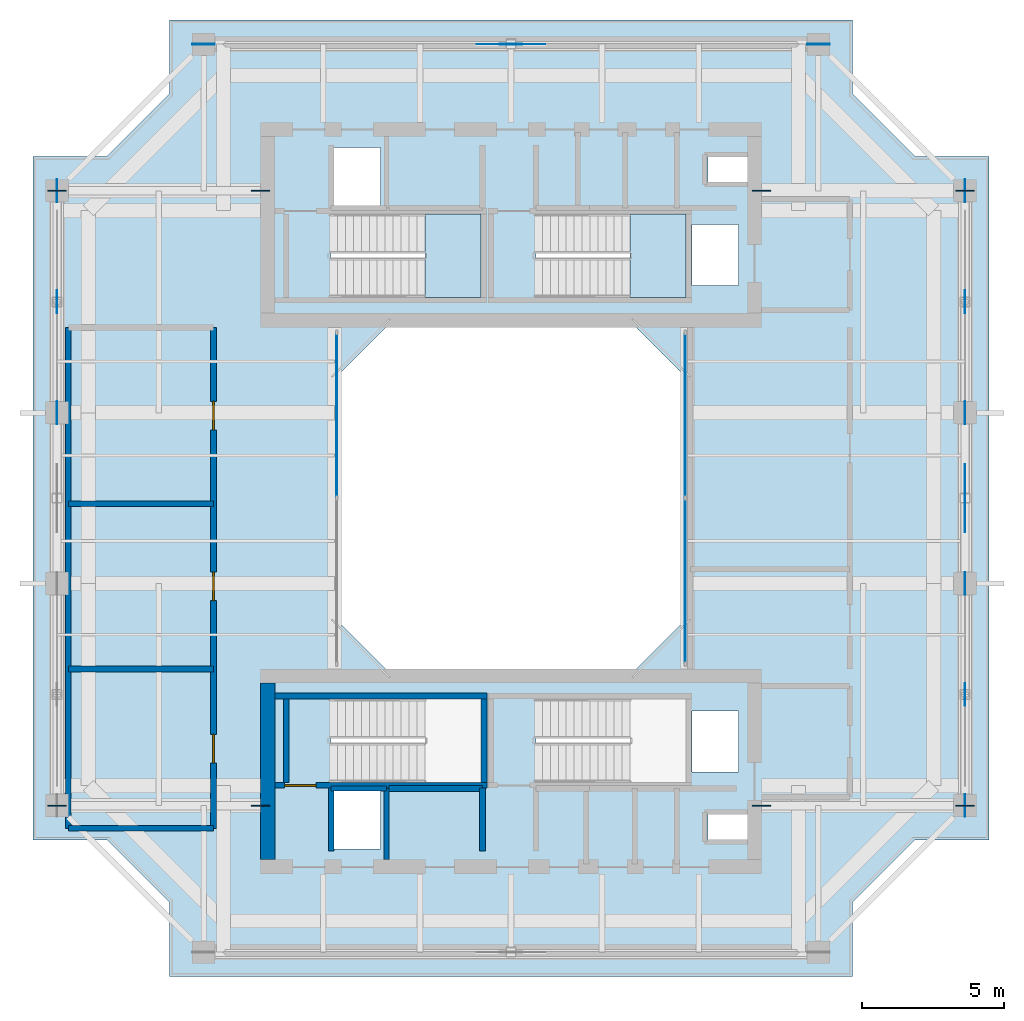
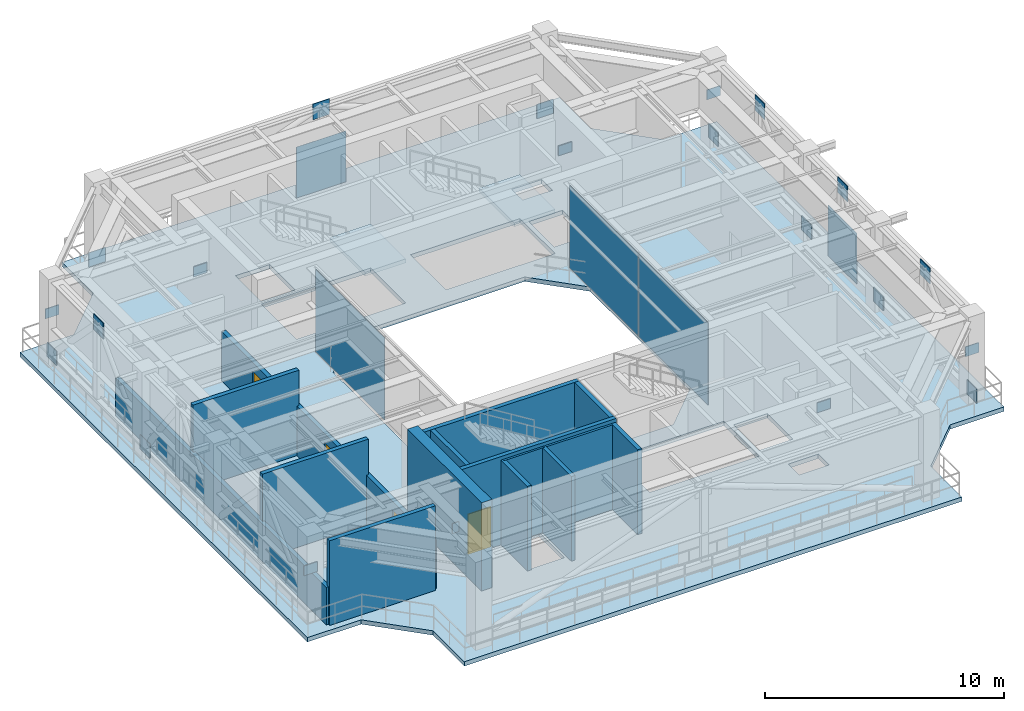
# One storey, part 5 of 10: 26 plates, 15 walls, 4 doors, 3 slabs, 4 openings, 4 elements without a shape of their own.
"""IFC4 building model written with IfcOpenShell, lengths in metres."""

from ifc_helpers import new_model, si_unit, direction, frame, frame_2d, origin, origin_2d, place, context, subcontext, project, spatial, polyline, rectangle, outline, extrude, source, transform, mapped, material, layer, layer_set, type_object, element, fill, aggregate, save


model = new_model("IFC4")

# Units and contexts
model_context = context("Model", 3, precision=1e-05, world=origin(), true_north=direction((0.0, 1.0)))
body_context = subcontext(model_context, "Body", "Model", "MODEL_VIEW")
ifc_project = project(units=[si_unit("LENGTHUNIT", "METRE"), si_unit("AREAUNIT", "SQUARE_METRE"), si_unit("VOLUMEUNIT", "CUBIC_METRE"), si_unit("PLANEANGLEUNIT", "RADIAN"), si_unit("MASSUNIT", "GRAM", prefix="KILO"), si_unit("THERMODYNAMICTEMPERATUREUNIT", "KELVIN"), si_unit("POWERUNIT", "WATT")], contexts=[model_context])

# Site, building, storey
site_placement = place(None, origin())
site = spatial("IfcSite", under=ifc_project, at=site_placement, CompositionType="ELEMENT")
building_placement = place(site_placement, origin())
building = spatial("IfcBuilding", under=site, at=building_placement, Name="Qiaomeng Ring Towers", CompositionType="ELEMENT")
storey_placement = place(building_placement, frame((0.0, 0.0, 232.75)))
storey = spatial("IfcBuildingStorey", under=building, at=storey_placement, Name="L68", CompositionType="ELEMENT", Elevation=232.75)

# Slab
ifc_material_1 = material(Name="Concrete C40", Category="concrete")
ifc_layer_1 = layer(ifc_material_1, 0.219970703125, Name="Concrete C40")
ifc_layer_set_1 = layer_set([ifc_layer_1], Name="Concrete C40")
slab_type_1 = type_object("IfcSlabType", Name="STR-SL-220", PredefinedType="FLOOR", material=ifc_layer_set_1)
slab_1_placement = place(storey_placement, frame((0.0, 0.0, -0.219970703125)))
element("IfcSlab", 1, at=slab_1_placement, inside=storey, type_object=slab_type_1, Name="L68 Tower 1 Annular Floor Slab", PredefinedType="FLOOR", context=body_context, shape_type="SweptSolid", body=[
    extrude(outline(polyline([(7.0, 6.199951171875), (31.0, 6.199951171875), (31.0, 8.800048828125), (33.199951171875, 11.0), (35.800048828125, 11.0), (35.800048828125, 35.0), (33.199951171875, 35.0), (31.0, 37.199951171875), (31.0, 39.800048828125), (7.0, 39.800048828125), (7.0, 37.199951171875), (4.800048828125, 35.0), (2.199951171875, 35.0), (2.199951171875, 11.0), (4.800048828125, 11.0), (7.0, 8.800048828125), (7.0, 6.199951171875)]), holes=[polyline([(12.780029296875, 10.679931640625), (12.780029296875, 12.820068359375), (14.419921875, 12.820068359375), (14.419921875, 10.679931640625), (12.780029296875, 10.679931640625)]), polyline([(12.679931640625, 13.010009765625), (12.679931640625, 15.949951171875), (17.949951171875, 15.949951171875), (17.949951171875, 13.010009765625), (12.679931640625, 13.010009765625)]), polyline([(23.199951171875, 29.199951171875), (25.199951171875, 27.199951171875), (25.199951171875, 18.800048828125), (23.199951171875, 16.800048828125), (14.800048828125, 16.800048828125), (12.800048828125, 18.800048828125), (12.800048828125, 27.199951171875), (14.800048828125, 29.199951171875), (23.199951171875, 29.199951171875)]), polyline([(12.679931640625, 32.989990234375), (17.949951171875, 32.989990234375), (17.949951171875, 30.050048828125), (12.679931640625, 30.050048828125), (12.679931640625, 32.989990234375)]), polyline([(19.8798828125, 32.989990234375), (25.14990234375, 32.989990234375), (25.14990234375, 30.050048828125), (19.8798828125, 30.050048828125), (19.8798828125, 32.989990234375)]), polyline([(12.780029296875, 33.179931640625), (12.780029296875, 35.320068359375), (14.419921875, 35.320068359375), (14.419921875, 33.179931640625), (12.780029296875, 33.179931640625)]), polyline([(25.919921875, 11.89990234375), (27.360107421875, 11.89990234375), (27.360107421875, 11.0), (25.919921875, 11.0), (25.919921875, 11.89990234375)]), polyline([(25.360107421875, 15.52001953125), (27.0, 15.52001953125), (27.0, 13.3798828125), (25.360107421875, 13.3798828125), (25.360107421875, 15.52001953125)]), polyline([(19.8798828125, 13.010009765625), (19.8798828125, 15.949951171875), (25.14990234375, 15.949951171875), (25.14990234375, 13.010009765625), (19.8798828125, 13.010009765625)]), polyline([(25.360107421875, 32.6201171875), (27.0, 32.6201171875), (27.0, 30.47998046875), (25.360107421875, 30.47998046875), (25.360107421875, 32.6201171875)]), polyline([(25.919921875, 35.0), (27.360107421875, 35.0), (27.360107421875, 34.10009765625), (25.919921875, 34.10009765625), (25.919921875, 35.0)])]), origin(), (0.0, 0.0, 1.0), 0.219970703125),
])

# Stair, slab
ifc_material_2 = material(Name="Precast concrete C40", Category="concrete")
stair_type = type_object("IfcStairType", Name="ARC-ST-450", PredefinedType="HALF_TURN_STAIR", material=ifc_material_2)
stair_1_placement = place(storey_placement, origin())
stair_1 = element("IfcStair", 2, at=stair_1_placement, inside=storey, type_object=stair_type, Name="L68 Tower 1 North Stair 1", PredefinedType="HALF_TURN_STAIR")
ifc_layer_2 = layer(ifc_material_1, 0.199951171875, Name="Concrete C40")
ifc_layer_set_2 = layer_set([ifc_layer_2], Name="Concrete C40")
slab_type_2 = type_object("IfcSlabType", Name="STR-SL-LANDING", PredefinedType="LANDING", material=ifc_layer_set_2)
slab_2_placement = place(storey_placement, frame((0.0, 0.0, 2.050048828125)))
slab_2 = element("IfcSlab", 3, at=slab_2_placement, type_object=slab_type_2, Name="ST1 landing 1", PredefinedType="LANDING", context=body_context, shape_type="SweptSolid", body=[
    extrude(outline(polyline([(15.97998046875, 30.050048828125), (17.949951171875, 30.050048828125), (17.949951171875, 32.989990234375), (15.97998046875, 32.989990234375), (15.97998046875, 30.050048828125)])), origin(), (0.0, 0.0, 1.0), 0.199951171875),
])
aggregate(stair_1, [slab_2])

stair_2_placement = place(storey_placement, origin())
stair_2 = element("IfcStair", 4, at=stair_2_placement, inside=storey, type_object=stair_type, Name="L68 Tower 1 North Stair 2", PredefinedType="HALF_TURN_STAIR")
slab_3_placement = place(storey_placement, frame((0.0, 0.0, 2.050048828125)))
slab_3 = element("IfcSlab", 5, at=slab_3_placement, type_object=slab_type_2, Name="ST2 landing 1", PredefinedType="LANDING", context=body_context, shape_type="SweptSolid", body=[
    extrude(outline(polyline([(23.179931640625, 30.050048828125), (25.14990234375, 30.050048828125), (25.14990234375, 32.989990234375), (23.179931640625, 32.989990234375), (23.179931640625, 30.050048828125)])), origin(), (0.0, 0.0, 1.0), 0.199951171875),
])
aggregate(stair_2, [slab_3])

# Plates
ifc_material_3 = material(Name="Steel Q390GJC", Category="steel")
ifc_layer_3 = layer(ifc_material_3, 0.031982421875, Name="Steel Q390GJC")
ifc_layer_set_3 = layer_set([ifc_layer_3], Name="Steel Q390GJC")
plate_type_1 = type_object("IfcPlateType", Name="STR-PL-GUSSET", PredefinedType="USERDEFINED", material=ifc_layer_set_3)
shared_shape_1 = source(origin(), body_context, "Body", "SweptSolid", [
    extrude(rectangle(XDim=0.800048828125, YDim=0.031982421875, at=origin_2d()), origin(), (0.0, 0.0, 1.0), 0.800048828125),
])
for number, where, z_axis, x_axis, name in (
    (6, (34.949951171875, 16.10009765625, 3.72021484375), (0.0, 0.0, 1.0), (0.0, 1.0, 0.0), "L68 Belt Truss Node Gusset Plate 2-APX"),
    (7, (34.949951171875, 12.199951171875, -0.080078125), (0.0, 0.0, 1.0), (0.0, 1.0, 0.0), "L68 Belt Truss Node Gusset Plate 2-N1"),
    (8, (34.949951171875, 20.0, -0.080078125), (0.0, 0.0, 1.0), (0.0, 1.0, 0.0), "L68 Belt Truss Node Gusset Plate 2-N2"),
    (9, (34.949951171875, 23.0, 3.72021484375), (0.0, 0.0, 1.0), (0.0, 1.0, 0.0), "L68 Belt Truss Node Gusset Plate 3-APX"),
    (10, (34.949951171875, 26.0, -0.080078125), (0.0, 0.0, 1.0), (0.0, 1.0, 0.0), "L68 Belt Truss Node Gusset Plate 3-N2"),
    (11, (34.949951171875, 29.89990234375, 3.72021484375), (0.0, 0.0, 1.0), (0.0, 1.0, 0.0), "L68 Belt Truss Node Gusset Plate 4-APX"),
    (12, (34.949951171875, 33.800048828125, -0.080078125), (0.0, 0.0, 1.0), (0.0, 1.0, 0.0), "L68 Belt Truss Node Gusset Plate 4-N2"),
    (13, (19.0, 38.949951171875, 3.72021484375), (0.0, 0.0, 1.0), (-1.0, 0.0, 0.0), "L68 Belt Truss Node Gusset Plate 5-APX"),
    (14, (29.800048828125, 38.949951171875, -0.080078125), (0.0, 0.0, 1.0), (-1.0, 0.0, 0.0), "L68 Belt Truss Node Gusset Plate 5-N1"),
    (15, (8.199951171875, 38.949951171875, -0.080078125), (0.0, 0.0, 1.0), (-1.0, 0.0, 0.0), "L68 Belt Truss Node Gusset Plate 5-N2"),
    (16, (3.050048828125, 29.89990234375, 3.72021484375), (0.0, 0.0, 1.0), (0.0, -1.0, 0.0), "L68 Belt Truss Node Gusset Plate 6-APX"),
    (17, (3.050048828125, 33.800048828125, -0.080078125), (0.0, 0.0, 1.0), (0.0, -1.0, 0.0), "L68 Belt Truss Node Gusset Plate 6-N1"),
    (18, (3.050048828125, 26.0, -0.080078125), (0.0, 0.0, 1.0), (0.0, -1.0, 0.0), "L68 Belt Truss Node Gusset Plate 6-N2"),
):
    element("IfcPlate", number, at=place(storey_placement, frame(where, z_axis=z_axis, x_axis=x_axis)), inside=storey, type_object=plate_type_1, Name=name, ObjectType="GUSSET PLATE", PredefinedType="USERDEFINED", context=body_context, shape_type="MappedRepresentation", body=[
        mapped(shared_shape_1, transform((0.0, 0.0, 0.0), x_axis=(1.0, 0.0, 0.0), y_axis=(0.0, 1.0, 0.0), z_axis=(0.0, 0.0, 1.0), scale=1.0)),
    ])
shared_shape_2 = source(origin(), body_context, "Body", "SweptSolid", [
    extrude(rectangle(XDim=0.64990234375, YDim=0.035888671875, at=origin_2d()), origin(), (0.0, 0.0, 1.0), 0.5),
])
for number, where, z_axis, x_axis, name in (
    (19, (10.199951171875, 33.800048828125, 1.89990234375), (0.0, 0.0, 1.0), (1.0, 0.0, 0.0), "L68 Outrigger Core Anchorage Gusset Plate W4"),
    (20, (3.050048828125, 33.800048828125, 2.25), (0.0, 0.0, 1.0), (1.0, 0.0, 0.0), "L68 Outrigger Column Node Gusset Plate W4"),
    (21, (10.199951171875, 12.199951171875, 1.89990234375), (0.0, 0.0, 1.0), (1.0, 0.0, 0.0), "L68 Outrigger Core Anchorage Gusset Plate W1"),
    (22, (3.050048828125, 12.199951171875, 2.25), (0.0, 0.0, 1.0), (1.0, 0.0, 0.0), "L68 Outrigger Column Node Gusset Plate W1"),
    (23, (27.800048828125, 33.800048828125, 1.89990234375), (0.0, 0.0, 1.0), (1.0, 0.0, 0.0), "L68 Outrigger Core Anchorage Gusset Plate E4"),
    (24, (34.949951171875, 33.800048828125, 2.25), (0.0, 0.0, 1.0), (1.0, 0.0, 0.0), "L68 Outrigger Column Node Gusset Plate E4"),
    (25, (27.800048828125, 12.199951171875, 1.89990234375), (0.0, 0.0, 1.0), (1.0, 0.0, 0.0), "L68 Outrigger Core Anchorage Gusset Plate E1"),
    (26, (34.949951171875, 12.199951171875, 2.25), (0.0, 0.0, 1.0), (1.0, 0.0, 0.0), "L68 Outrigger Column Node Gusset Plate E1"),
):
    element("IfcPlate", number, at=place(storey_placement, frame(where, z_axis=z_axis, x_axis=x_axis)), inside=storey, type_object=plate_type_1, Name=name, ObjectType="GUSSET PLATE", PredefinedType="USERDEFINED", context=body_context, shape_type="MappedRepresentation", body=[
        mapped(shared_shape_2, transform((0.0, 0.0, 0.0), x_axis=(1.0, 0.0, 0.0), y_axis=(0.0, 1.0, 0.0), z_axis=(0.0, 0.0, 1.0), scale=1.0)),
    ])

# Curtain wall, plate
ifc_material_4 = material(Name="Fluorocarbon dark-grey aluminium", Category="aluminium")
ifc_layer_4 = layer(ifc_material_4, 0.139892578125, Name="Fluorocarbon dark-grey aluminium")
ifc_layer_set_4 = layer_set([ifc_layer_4], Name="Fluorocarbon dark-grey aluminium")
curtain_wall_type = type_object("IfcCurtainWallType", Name="ARC-CW-4", PredefinedType="NOTDEFINED", material=ifc_layer_set_4)
curtain_wall_1_placement = place(storey_placement, origin())
curtain_wall_1 = element("IfcCurtainWall", 27, at=curtain_wall_1_placement, inside=storey, type_object=curtain_wall_type, Name="L68 Curtain Wall CW4", PredefinedType="NOTDEFINED")
ifc_material_5 = material(Name="Low-E dark-grey laminated double glazing", Category="glass")
ifc_layer_5 = layer(ifc_material_5, 0.028076171875, Name="Low-E dark-grey laminated double glazing")
ifc_layer_set_5 = layer_set([ifc_layer_5], Name="Low-E dark-grey laminated double glazing")
plate_type_2 = type_object("IfcPlateType", Name="ARC-CWP-DARK", PredefinedType="CURTAIN_PANEL", material=ifc_layer_set_5)
shared_shape_3 = source(origin(), body_context, "Body", "SweptSolid", [
    extrude(rectangle(XDim=5.75244140625, YDim=0.028076171875, at=origin_2d()), origin(), (0.0, 0.0, 1.0), 4.18994140625),
])
plate_1_placement = place(storey_placement, frame((12.8798828125, 25.90869140625, 0.06494140625), z_axis=(0.0, 0.0, 1.0), x_axis=(0.0, 1.0, 0.0)))
plate_1 = element("IfcPlate", 28, at=plate_1_placement, type_object=plate_type_2, Name="CW4 panel 2.1", PredefinedType="CURTAIN_PANEL", context=body_context, shape_type="MappedRepresentation", body=[
    mapped(shared_shape_3, transform((0.0, 0.0, 0.0), x_axis=(1.0, 0.0, 0.0), y_axis=(0.0, 1.0, 0.0), z_axis=(0.0, 0.0, 1.0), scale=1.0)),
])
aggregate(curtain_wall_1, [plate_1])

# Curtain wall, plates
curtain_wall_2_placement = place(storey_placement, origin())
curtain_wall_2 = element("IfcCurtainWall", 29, at=curtain_wall_2_placement, inside=storey, type_object=curtain_wall_type, Name="L68 Curtain Wall CW4", PredefinedType="NOTDEFINED")
plate_2_placement = place(storey_placement, frame((25.1201171875, 20.09130859375, 0.06494140625), z_axis=(0.0, 0.0, 1.0), x_axis=(0.0, 1.0, 0.0)))
plate_2 = element("IfcPlate", 30, at=plate_2_placement, type_object=plate_type_2, Name="CW4 panel 1.1", PredefinedType="CURTAIN_PANEL", context=body_context, shape_type="MappedRepresentation", body=[
    mapped(shared_shape_3, transform((0.0, 0.0, 0.0), x_axis=(1.0, 0.0, 0.0), y_axis=(0.0, 1.0, 0.0), z_axis=(0.0, 0.0, 1.0), scale=1.0)),
])
plate_3_placement = place(storey_placement, frame((25.1201171875, 25.90869140625, 0.06494140625), z_axis=(0.0, 0.0, 1.0), x_axis=(0.0, 1.0, 0.0)))
plate_3 = element("IfcPlate", 31, at=plate_3_placement, type_object=plate_type_2, Name="CW4 panel 2.1", PredefinedType="CURTAIN_PANEL", context=body_context, shape_type="MappedRepresentation", body=[
    mapped(shared_shape_3, transform((0.0, 0.0, 0.0), x_axis=(1.0, 0.0, 0.0), y_axis=(0.0, 1.0, 0.0), z_axis=(0.0, 0.0, 1.0), scale=1.0)),
])
aggregate(curtain_wall_2, [plate_2, plate_3])

# Plates
ifc_material_6 = material(Name="Stainless steel 316", Category="steel")
ifc_layer_6 = layer(ifc_material_6, 0.011962890625, Name="Stainless steel 316")
ifc_layer_set_6 = layer_set([ifc_layer_6], Name="Stainless steel 316")
plate_type_3 = type_object("IfcPlateType", Name="ARC-PL-SCREEN", PredefinedType="SHEET", material=ifc_layer_set_6)
shared_shape_4 = source(origin(), body_context, "Body", "SweptSolid", [
    extrude(rectangle(XDim=2.39990234375, YDim=0.011962890625, at=origin_2d()), origin(), (0.0, 0.0, 1.0), 2.60009765625),
])
for number, where, z_axis, x_axis, name in (
    (32, (19.0, 38.949951171875, 0.0), (0.0, 0.0, 1.0), (-1.0, 0.0, 0.0), "L68 Perforated Refuge Wind Screen N"),
    (33, (34.949951171875, 23.0, 0.0), (0.0, 0.0, 1.0), (0.0, 1.0, 0.0), "L68 Perforated Refuge Wind Screen E"),
):
    element("IfcPlate", number, at=place(storey_placement, frame(where, z_axis=z_axis, x_axis=x_axis)), inside=storey, type_object=plate_type_3, Name=name, PredefinedType="SHEET", context=body_context, shape_type="MappedRepresentation", body=[
        mapped(shared_shape_4, transform((0.0, 0.0, 0.0), x_axis=(1.0, 0.0, 0.0), y_axis=(0.0, 1.0, 0.0), z_axis=(0.0, 0.0, 1.0), scale=1.0)),
    ])

# Walls
ifc_material_7 = material(Name="Autoclaved aerated concrete block", Category="concrete")
ifc_layer_7 = layer(ifc_material_7, 0.199951171875, Name="Autoclaved aerated concrete block")
ifc_layer_set_7 = layer_set([ifc_layer_7], Name="Autoclaved aerated concrete block")
wall_type_1 = type_object("IfcWallType", Name="ARC-WL-PW1", PredefinedType="PARTITIONING", material=ifc_layer_set_7)
for number, where, z_axis, x_axis, name in (
    (34, (12.679931640625, 10.60009765625, 0.0), (0.0, 0.0, 1.0), (0.0, 1.0, 0.0), "L68 Interior Wall PW1"),
    (35, (18.0, 10.60009765625, 0.0), (0.0, 0.0, 1.0), (0.0, 1.0, 0.0), "L68 Interior Wall PW1"),
):
    element("IfcWall", number, at=place(storey_placement, frame(where, z_axis=z_axis, x_axis=x_axis)), inside=storey, type_object=wall_type_1, Name=name, PredefinedType="PARTITIONING", context=body_context, shape_type="SweptSolid", body=[
        extrude(rectangle(XDim=2.2099609375, YDim=0.199951171875, at=frame_2d((1.10498046875, 0.0))), origin(), (0.0, 0.0, 1.0), 4.320068359375),
    ])
wall_1_placement = place(storey_placement, frame((14.719970703125, 12.800048828125, 0.0), z_axis=(0.0, 0.0, 1.0), x_axis=(1.0, 0.0, 0.0)))
element("IfcWall", 36, at=wall_1_placement, inside=storey, type_object=wall_type_1, Name="L68 Interior Wall PW1", PredefinedType="PARTITIONING", context=body_context, shape_type="SweptSolid", body=[
    extrude(rectangle(XDim=3.280029296875, YDim=0.199951171875, at=frame_2d((1.64013671875, 0.0))), origin(), (0.0, 0.0, 1.0), 4.320068359375),
])

# Wall, openings, doors
wall_2_placement = place(storey_placement, frame((8.550048828125, 11.39990234375, 0.0), z_axis=(0.0, 0.0, 1.0), x_axis=(0.0, 1.0, 0.0)))
wall_2 = element("IfcWall", 37, at=wall_2_placement, inside=storey, type_object=wall_type_1, Name="L68 Interior Wall PW1", PredefinedType="PARTITIONING", context=body_context, shape_type="SweptSolid", body=[
    extrude(rectangle(XDim=17.60009765625, YDim=0.199951171875, at=frame_2d((8.800048828125, 0.0))), origin(), (0.0, 0.0, 1.0), 2.514892578125),
])
opening_1_placement = place(wall_2_placement, frame((8.0, 0.0, 0.0)))
opening_1 = element("IfcOpeningElement", 38, at=opening_1_placement, cuts=wall_2, Name="Opening FD1", PredefinedType="OPENING", context=body_context, shape_type="SweptSolid", body=[
    extrude(rectangle(XDim=1.0, YDim=2.050048828125, at=frame_2d((0.5, 1.02490234375))), frame((0.0, 0.10986328125, 0.0), z_axis=(0.0, -1.0, 0.0), x_axis=(1.0, 0.0, 0.0)), (0.0, 0.0, 1.0), 0.219970703125),
])
opening_2_placement = place(wall_2_placement, frame((14.0, 0.0, 0.0)))
opening_2 = element("IfcOpeningElement", 39, at=opening_2_placement, cuts=wall_2, Name="Opening FD1", PredefinedType="OPENING", context=body_context, shape_type="SweptSolid", body=[
    extrude(rectangle(XDim=1.0, YDim=2.050048828125, at=frame_2d((0.5, 1.02490234375))), frame((0.0, 0.10986328125, 0.0), z_axis=(0.0, -1.0, 0.0), x_axis=(1.0, 0.0, 0.0)), (0.0, 0.0, 1.0), 0.219970703125),
])
opening_3_placement = place(wall_2_placement, frame((2.300048828125, 0.0, 0.0)))
opening_3 = element("IfcOpeningElement", 40, at=opening_3_placement, cuts=wall_2, Name="Opening FD1", PredefinedType="OPENING", context=body_context, shape_type="SweptSolid", body=[
    extrude(rectangle(XDim=1.0, YDim=2.050048828125, at=frame_2d((0.5, 1.02490234375))), frame((0.0, 0.10986328125, 0.0), z_axis=(0.0, -1.0, 0.0), x_axis=(1.0, 0.0, 0.0)), (0.0, 0.0, 1.0), 0.219970703125),
])
ifc_material_8 = material(Name="Galvanised steel", Category="steel")
door_type_1 = type_object("IfcDoorType", Name="ARC-DR-FD1", OperationType="NOTDEFINED", PredefinedType="DOOR", material=ifc_material_8)
shared_shape_5 = source(origin(), body_context, "Body", "SweptSolid", [
    extrude(rectangle(XDim=1.0, YDim=2.050048828125, at=frame_2d((0.5, 1.02490234375))), frame((0.0, 0.02490234375, 0.0), z_axis=(0.0, -1.0, 0.0), x_axis=(1.0, 0.0, 0.0)), (0.0, 0.0, 1.0), 0.050048828125),
])
door_1_placement = place(opening_1_placement, origin())
door_1 = element("IfcDoor", 41, at=door_1_placement, inside=storey, type_object=door_type_1, Name="L68 Door FD1", OperationType="SINGLE_SWING_LEFT", OverallHeight=2.050048828125, OverallWidth=1.0, PredefinedType="DOOR", context=body_context, shape_type="MappedRepresentation", body=[
    mapped(shared_shape_5, transform((0.0, 0.0, 0.0), x_axis=(1.0, 0.0, 0.0), y_axis=(0.0, 1.0, 0.0), z_axis=(0.0, 0.0, 1.0), scale=1.0)),
])
fill(opening_1, door_1)
door_2_placement = place(opening_2_placement, origin())
door_2 = element("IfcDoor", 42, at=door_2_placement, inside=storey, type_object=door_type_1, Name="L68 Door FD1", OperationType="SINGLE_SWING_RIGHT", OverallHeight=2.050048828125, OverallWidth=1.0, PredefinedType="DOOR", context=body_context, shape_type="MappedRepresentation", body=[
    mapped(shared_shape_5, transform((0.0, 0.0, 0.0), x_axis=(1.0, 0.0, 0.0), y_axis=(0.0, 1.0, 0.0), z_axis=(0.0, 0.0, 1.0), scale=1.0)),
])
fill(opening_2, door_2)
door_3_placement = place(opening_3_placement, origin())
door_3 = element("IfcDoor", 43, at=door_3_placement, inside=storey, type_object=door_type_1, Name="L68 Door FD1", OperationType="SINGLE_SWING_LEFT", OverallHeight=2.050048828125, OverallWidth=1.0, PredefinedType="DOOR", context=body_context, shape_type="MappedRepresentation", body=[
    mapped(shared_shape_5, transform((0.0, 0.0, 0.0), x_axis=(1.0, 0.0, 0.0), y_axis=(0.0, 1.0, 0.0), z_axis=(0.0, 0.0, 1.0), scale=1.0)),
])
fill(opening_3, door_3)

# Walls
for number, where, z_axis, x_axis, name in (
    (44, (3.449951171875, 11.39990234375, 0.0), (0.0, 0.0, 1.0), (1.0, 0.0, 0.0), "L68 Interior Wall PW1"),
    (45, (3.449951171875, 17.0, 0.0), (0.0, 0.0, 1.0), (1.0, 0.0, 0.0), "L68 Interior Wall PW1"),
    (46, (3.449951171875, 22.800048828125, 0.0), (0.0, 0.0, 1.0), (1.0, 0.0, 0.0), "L68 Interior Wall PW1"),
):
    element("IfcWall", number, at=place(storey_placement, frame(where, z_axis=z_axis, x_axis=x_axis)), inside=storey, type_object=wall_type_1, Name=name, PredefinedType="PARTITIONING", context=body_context, shape_type="SweptSolid", body=[
        extrude(rectangle(XDim=5.10009765625, YDim=0.199951171875, at=frame_2d((2.550048828125, 0.0))), origin(), (0.0, 0.0, 1.0), 4.320068359375),
    ])
wall_3_placement = place(storey_placement, frame((3.449951171875, 11.39990234375, 0.0), z_axis=(0.0, 0.0, 1.0), x_axis=(0.0, 1.0, 0.0)))
element("IfcWall", 47, at=wall_3_placement, inside=storey, type_object=wall_type_1, Name="L68 Interior Wall PW1", PredefinedType="PARTITIONING", context=body_context, shape_type="SweptSolid", body=[
    extrude(rectangle(XDim=17.60009765625, YDim=0.199951171875, at=frame_2d((8.800048828125, 0.0))), origin(), (0.0, 0.0, 1.0), 1.9150390625),
])
ifc_layer_8 = layer(ifc_material_1, 0.199951171875, Name="Concrete C40")
ifc_layer_set_8 = layer_set([ifc_layer_8], Name="Concrete C40")
wall_type_2 = type_object("IfcWallType", Name="STR-WL-STSHAFT", PredefinedType="SHEAR", material=ifc_layer_set_8)
wall_4_placement = place(storey_placement, frame((12.679931640625, 12.800048828125, 0.0), z_axis=(0.0, 0.0, 1.0), x_axis=(1.0, 0.0, 0.0)))
element("IfcWall", 48, at=wall_4_placement, inside=storey, type_object=wall_type_2, Name="L68 Lift LP6 Shaft Back Wall", PredefinedType="SHEAR", context=body_context, shape_type="SweptSolid", body=[
    extrude(rectangle(XDim=1.940185546875, YDim=0.179931640625, at=frame_2d((0.97021484375, 0.0))), origin(), (0.0, 0.0, 1.0), 4.320068359375),
])
wall_5_placement = place(storey_placement, frame((14.6201171875, 10.300048828125, 0.0), z_axis=(0.0, 0.0, 1.0), x_axis=(0.0, 1.0, 0.0)))
element("IfcWall", 49, at=wall_5_placement, inside=storey, type_object=wall_type_2, Name="L68 Lift LP6-LP4 Shaft Divider Wall", PredefinedType="SHEAR", context=body_context, shape_type="SweptSolid", body=[
    extrude(rectangle(XDim=2.5, YDim=0.179931640625, at=frame_2d((1.25, 0.0))), origin(), (0.0, 0.0, 1.0), 4.320068359375),
])

# Wall, opening, door
wall_6_placement = place(storey_placement, frame((10.699951171875, 12.909912109375, 0.0), z_axis=(0.0, 0.0, 1.0), x_axis=(1.0, 0.0, 0.0)))
wall_6 = element("IfcWall", 50, at=wall_6_placement, inside=storey, type_object=wall_type_2, Name="L68 Stair ST3 South Shaft Shear Wall", PredefinedType="SHEAR", context=body_context, shape_type="SweptSolid", body=[
    extrude(rectangle(XDim=7.449951171875, YDim=0.199951171875, at=frame_2d((3.72509765625, 0.0))), origin(), (0.0, 0.0, 1.0), 4.5),
])
opening_4_placement = place(wall_6_placement, frame((0.35009765625, 0.0, 0.0)))
opening_4 = element("IfcOpeningElement", 51, at=opening_4_placement, cuts=wall_6, Name="Opening FD3", PredefinedType="OPENING", context=body_context, shape_type="SweptSolid", body=[
    extrude(rectangle(XDim=1.10009765625, YDim=2.050048828125, at=frame_2d((0.550048828125, 1.02490234375))), frame((0.0, 0.10986328125, 0.0), z_axis=(0.0, -1.0, 0.0), x_axis=(1.0, 0.0, 0.0)), (0.0, 0.0, 1.0), 0.219970703125),
])
door_type_2 = type_object("IfcDoorType", Name="ARC-DR-FD3", OperationType="NOTDEFINED", PredefinedType="DOOR", material=ifc_material_8)
shared_shape_6 = source(origin(), body_context, "Body", "SweptSolid", [
    extrude(rectangle(XDim=1.10009765625, YDim=2.050048828125, at=frame_2d((0.550048828125, 1.02490234375))), frame((0.0, 0.02490234375, 0.0), z_axis=(0.0, -1.0, 0.0), x_axis=(1.0, 0.0, 0.0)), (0.0, 0.0, 1.0), 0.050048828125),
])
door_4_placement = place(opening_4_placement, frame((1.10009765625, 0.0, 0.0), z_axis=(0.0, 0.0, 1.0), x_axis=(-1.0, 0.0, 0.0)))
door_4 = element("IfcDoor", 52, at=door_4_placement, inside=storey, type_object=door_type_2, Name="L68 Stair ST3 Exit Door", OperationType="SINGLE_SWING_RIGHT", OverallHeight=2.050048828125, OverallWidth=1.10009765625, PredefinedType="DOOR", context=body_context, shape_type="MappedRepresentation", body=[
    mapped(shared_shape_6, transform((0.0, 0.0, 0.0), x_axis=(1.0, 0.0, 0.0), y_axis=(0.0, 1.0, 0.0), z_axis=(0.0, 0.0, 1.0), scale=1.0)),
])
fill(opening_4, door_4)

# Walls
wall_7_placement = place(storey_placement, frame((10.699951171875, 16.050048828125, 0.0), z_axis=(0.0, 0.0, 1.0), x_axis=(1.0, 0.0, 0.0)))
element("IfcWall", 53, at=wall_7_placement, inside=storey, type_object=wall_type_2, Name="L68 Stair ST3 North Shaft Shear Wall", PredefinedType="SHEAR", context=body_context, shape_type="SweptSolid", body=[
    extrude(rectangle(XDim=7.449951171875, YDim=0.199951171875, at=frame_2d((3.72509765625, 0.0))), origin(), (0.0, 0.0, 1.0), 4.5),
])
for number, where, z_axis, x_axis, name in (
    (54, (11.10009765625, 13.010009765625, 0.0), (0.0, 0.0, 1.0), (0.0, 1.0, 0.0), "L68 Stair ST3 West Shaft Shear Wall"),
    (55, (18.050048828125, 13.010009765625, 0.0), (0.0, 0.0, 1.0), (0.0, 1.0, 0.0), "L68 Stair ST3 East Shaft Shear Wall"),
):
    element("IfcWall", number, at=place(storey_placement, frame(where, z_axis=z_axis, x_axis=x_axis)), inside=storey, type_object=wall_type_2, Name=name, PredefinedType="SHEAR", context=body_context, shape_type="SweptSolid", body=[
        extrude(rectangle(XDim=2.93994140625, YDim=0.199951171875, at=frame_2d((1.469970703125, 0.0))), origin(), (0.0, 0.0, 1.0), 4.5),
    ])
ifc_layer_9 = layer(ifc_material_1, 0.5, Name="Concrete C40")
ifc_layer_set_9 = layer_set([ifc_layer_9], Name="Concrete C40")
wall_type_3 = type_object("IfcWallType", Name="STR-WL-SW3", PredefinedType="SHEAR", material=ifc_layer_set_9)
wall_8_placement = place(storey_placement, frame((10.449951171875, 10.300048828125, 0.0), z_axis=(0.0, 0.0, 1.0), x_axis=(0.0, 1.0, 0.0)))
element("IfcWall", 56, at=wall_8_placement, inside=storey, type_object=wall_type_3, Name="L68 T1SC west core shear wall", PredefinedType="SHEAR", context=body_context, shape_type="SweptSolid", body=[
    extrude(rectangle(XDim=6.199951171875, YDim=0.5, at=frame_2d((3.10009765625, 0.0))), origin(), (0.0, 0.0, 1.0), 4.5),
])

save(model, "model.ifc")
